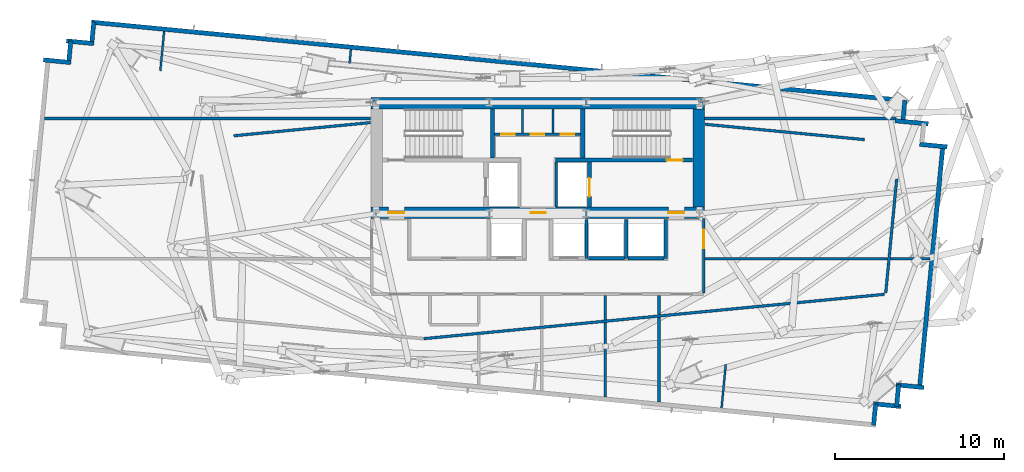
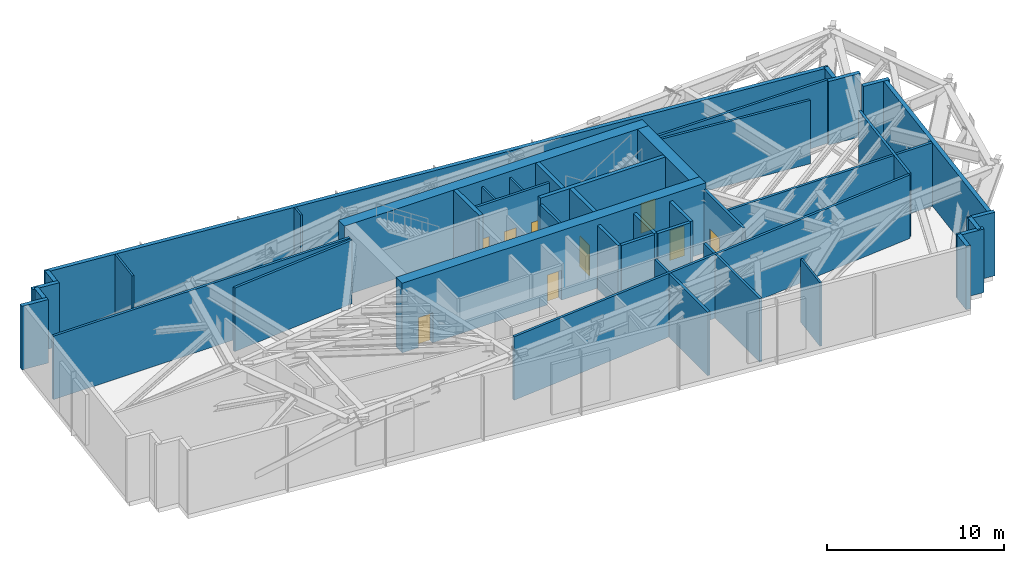
# One storey, part 7 of 10: 45 walls, 9 doors, 9 openings.
"""IFC4 building model written with IfcOpenShell, lengths in metres."""

from ifc_helpers import new_model, si_unit, direction, frame, frame_2d, origin, place, context, subcontext, project, spatial, rectangle, extrude, source, transform, mapped, material, layer, layer_set, type_object, type_shapes, element, fill, save


model = new_model("IFC4")

# Units and contexts
model_context = context("Model", 3, precision=1e-05, world=origin(), true_north=direction((0.0, 1.0)))
body_context = subcontext(model_context, "Body", "Model", "MODEL_VIEW")
ifc_project = project(units=[si_unit("LENGTHUNIT", "METRE"), si_unit("AREAUNIT", "SQUARE_METRE"), si_unit("VOLUMEUNIT", "CUBIC_METRE"), si_unit("PLANEANGLEUNIT", "RADIAN"), si_unit("MASSUNIT", "GRAM", prefix="KILO")], contexts=[model_context])

# Site, building, storey
site_placement = place(None, origin())
site = spatial("IfcSite", under=ifc_project, at=site_placement, CompositionType="ELEMENT")
building_placement = place(site_placement, origin())
building = spatial("IfcBuilding", under=site, at=building_placement, Name="Astriad Promenade Condominiums", CompositionType="ELEMENT")
storey_placement = place(building_placement, frame((0.0, 0.0, 163.0)))
storey = spatial("IfcBuildingStorey", under=building, at=storey_placement, Name="L47", CompositionType="ELEMENT", Elevation=163.0)

# Wall, openings, doors
ifc_material_1 = material(Name="Concrete C60/75", Category="concrete")
ifc_layer_1 = layer(ifc_material_1, 0.699951171875)
ifc_layer_set_1 = layer_set([ifc_layer_1], Name="Concrete C60/75")
wall_type_1 = type_object("IfcWallType", Name="CW-SHEAR-700", PredefinedType="SHEAR", material=ifc_layer_set_1)
wall_1_placement = place(storey_placement, frame((26.10009765625, 17.449951171875, 0.0), z_axis=(0.0, 0.0, 1.0), x_axis=(1.0, 0.0, 0.0)))
wall_1 = element("IfcWall", 1, at=wall_1_placement, inside=storey, type_object=wall_type_1, Name="CW-CORE-S-L47", PredefinedType="SHEAR", context=body_context, shape_type="SweptSolid", body=[
    extrude(rectangle(XDim=19.7998046875, YDim=0.699951171875, at=frame_2d((9.89990234375, 0.0))), origin(), (0.0, 0.0, 1.0), 4.800048828125),
])
opening_1_placement = place(wall_1_placement, frame((1.050048828125, 0.0, 0.0)))
opening_1 = element("IfcOpeningElement", 2, at=opening_1_placement, cuts=wall_1, Name="Opening FD90-ST-095", PredefinedType="OPENING", context=body_context, shape_type="SweptSolid", body=[
    extrude(rectangle(XDim=0.949951171875, YDim=2.06005859375, at=frame_2d((0.47509765625, 1.030029296875))), frame((0.0, 0.35986328125, 0.0), z_axis=(0.0, -1.0, 0.0), x_axis=(1.0, 0.0, 0.0)), (0.0, 0.0, 1.0), 0.719970703125),
])
opening_2_placement = place(wall_1_placement, frame((9.47998046875, 0.0, 0.0)))
opening_2 = element("IfcOpeningElement", 3, at=opening_2_placement, cuts=wall_1, Name="Opening FD60-CSL-090", PredefinedType="OPENING", context=body_context, shape_type="SweptSolid", body=[
    extrude(rectangle(XDim=0.89990234375, YDim=2.06005859375, at=frame_2d((0.449951171875, 1.030029296875))), frame((0.0, 0.35986328125, 0.0), z_axis=(0.0, -1.0, 0.0), x_axis=(1.0, 0.0, 0.0)), (0.0, 0.0, 1.0), 0.719970703125),
])
opening_3_placement = place(wall_1_placement, frame((17.64990234375, 0.0, 0.0)))
opening_3 = element("IfcOpeningElement", 4, at=opening_3_placement, cuts=wall_1, Name="Opening FD90-ST-095", PredefinedType="OPENING", context=body_context, shape_type="SweptSolid", body=[
    extrude(rectangle(XDim=0.949951171875, YDim=2.06005859375, at=frame_2d((0.47509765625, 1.030029296875))), frame((0.0, 0.35986328125, 0.0), z_axis=(0.0, -1.0, 0.0), x_axis=(1.0, 0.0, 0.0)), (0.0, 0.0, 1.0), 0.719970703125),
])
ifc_material_2 = material(Name="Fire-Rated Hollow Metal Stair Door")
door_type_1 = type_object("IfcDoorType", Name="FD90-ST-095", OperationType="NOTDEFINED", PredefinedType="DOOR", material=ifc_material_2)
shared_shape_1 = source(origin(), body_context, "Body", "SweptSolid", [
    extrude(rectangle(XDim=0.949951171875, YDim=2.06005859375, at=frame_2d((0.47509765625, 1.030029296875))), frame((0.0, 0.02490234375, 0.0), z_axis=(0.0, -1.0, 0.0), x_axis=(1.0, 0.0, 0.0)), (0.0, 0.0, 1.0), 0.050048828125),
])
type_shapes(door_type_1, [shared_shape_1])
door_1_placement = place(opening_1_placement, origin())
door_1 = element("IfcDoor", 5, at=door_1_placement, inside=storey, type_object=door_type_1, Name="D-FFW-L47", OperationType="SINGLE_SWING_LEFT", OverallHeight=2.06005859375, OverallWidth=0.949951171875, PredefinedType="DOOR", context=body_context, shape_type="MappedRepresentation", body=[
    mapped(shared_shape_1, transform((0.0, 0.0, 0.0), scale=1.0)),
])
fill(opening_1, door_1)
door_2_placement = place(opening_3_placement, origin())
door_2 = element("IfcDoor", 6, at=door_2_placement, inside=storey, type_object=door_type_1, Name="D-FFE-L47", OperationType="SINGLE_SWING_RIGHT", OverallHeight=2.06005859375, OverallWidth=0.949951171875, PredefinedType="DOOR", context=body_context, shape_type="MappedRepresentation", body=[
    mapped(shared_shape_1, transform((0.0, 0.0, 0.0), scale=1.0)),
])
fill(opening_3, door_2)
ifc_material_3 = material(Name="Fire-Rated Service Lobby Door")
door_type_2 = type_object("IfcDoorType", Name="FD60-CSL-090", OperationType="NOTDEFINED", PredefinedType="DOOR", material=ifc_material_3)
shared_shape_2 = source(origin(), body_context, "Body", "SweptSolid", [
    extrude(rectangle(XDim=0.89990234375, YDim=2.06005859375, at=frame_2d((0.449951171875, 1.030029296875))), frame((0.0, 0.02490234375, 0.0), z_axis=(0.0, -1.0, 0.0), x_axis=(1.0, 0.0, 0.0)), (0.0, 0.0, 1.0), 0.050048828125),
])
type_shapes(door_type_2, [shared_shape_2])
door_3_placement = place(opening_2_placement, origin())
door_3 = element("IfcDoor", 7, at=door_3_placement, inside=storey, type_object=door_type_2, Name="D-CSL-L47", OperationType="SINGLE_SWING_RIGHT", OverallHeight=2.06005859375, OverallWidth=0.89990234375, PredefinedType="DOOR", context=body_context, shape_type="MappedRepresentation", body=[
    mapped(shared_shape_2, transform((0.0, 0.0, 0.0), scale=1.0)),
])
fill(opening_2, door_3)

# Walls
wall_2_placement = place(storey_placement, frame((26.10009765625, 23.949951171875, 0.0), z_axis=(0.0, 0.0, 1.0), x_axis=(1.0, 0.0, 0.0)))
element("IfcWall", 8, at=wall_2_placement, inside=storey, type_object=wall_type_1, Name="CW-CORE-N-L47", PredefinedType="SHEAR", context=body_context, shape_type="SweptSolid", body=[
    extrude(rectangle(XDim=19.7998046875, YDim=0.699951171875, at=frame_2d((9.89990234375, 0.0))), origin(), (0.0, 0.0, 1.0), 4.800048828125),
])
wall_3_placement = place(storey_placement, frame((45.550048828125, 17.802001953125, 0.0), z_axis=(0.0, 0.0, 1.0), x_axis=(0.0, 1.0, 0.0)))
element("IfcWall", 9, at=wall_3_placement, inside=storey, type_object=wall_type_1, Name="CW-CORE-E-L47", PredefinedType="SHEAR", context=body_context, shape_type="SweptSolid", body=[
    extrude(rectangle(XDim=5.7958984375, YDim=0.699951171875, at=frame_2d((2.89794921875, 0.0))), origin(), (0.0, 0.0, 1.0), 4.800048828125),
])

# Wall, opening, door
ifc_material_4 = material(Name="Concrete C50/60", Category="concrete")
ifc_layer_2 = layer(ifc_material_4, 0.25)
ifc_layer_set_2 = layer_set([ifc_layer_2], Name="Concrete C50/60")
wall_type_2 = type_object("IfcWallType", Name="WALL-CORE-INT-250", PredefinedType="SOLIDWALL", material=ifc_layer_set_2)
wall_4_placement = place(storey_placement, frame((37.050048828125, 20.574951171875, 0.0), z_axis=(0.0, 0.0, 1.0), x_axis=(1.0, 0.0, 0.0)))
wall_4 = element("IfcWall", 10, at=wall_4_placement, inside=storey, type_object=wall_type_2, Name="CW-INT-H2-L47", PredefinedType="SOLIDWALL", context=body_context, shape_type="SweptSolid", body=[
    extrude(rectangle(XDim=8.14794921875, YDim=0.25, at=frame_2d((4.073974609375, 0.0))), origin(), (0.0, 0.0, 1.0), 4.800048828125),
])
opening_4_placement = place(wall_4_placement, frame((6.60009765625, 0.0, 0.0)))
opening_4 = element("IfcOpeningElement", 11, at=opening_4_placement, cuts=wall_4, Name="Opening FD90-ST-095", PredefinedType="OPENING", context=body_context, shape_type="SweptSolid", body=[
    extrude(rectangle(XDim=0.949951171875, YDim=2.06005859375, at=frame_2d((0.47509765625, 1.030029296875))), frame((0.0, 0.135009765625, 0.0), z_axis=(0.0, -1.0, 0.0), x_axis=(1.0, 0.0, 0.0)), (0.0, 0.0, 1.0), 0.27001953125),
])
door_4_placement = place(opening_4_placement, origin())
door_4 = element("IfcDoor", 12, at=door_4_placement, inside=storey, type_object=door_type_1, Name="D-ST2-L47", OperationType="SINGLE_SWING_RIGHT", OverallHeight=2.06005859375, OverallWidth=0.949951171875, PredefinedType="DOOR", context=body_context, shape_type="MappedRepresentation", body=[
    mapped(shared_shape_1, transform((0.0, 0.0, 0.0), scale=1.0)),
])
fill(opening_4, door_4)

# Walls
for number, where, z_axis, x_axis, name in (
    (13, (33.324951171875, 20.701904296875, 0.0), (0.0, 0.0, 1.0), (0.0, 1.0, 0.0), "CW-ST1-E-L47"),
    (14, (38.675048828125, 20.701904296875, 0.0), (0.0, 0.0, 1.0), (0.0, 1.0, 0.0), "CW-ST2-W-L47"),
):
    element("IfcWall", number, at=place(storey_placement, frame(where, z_axis=z_axis, x_axis=x_axis)), inside=storey, type_object=wall_type_2, Name=name, PredefinedType="SOLIDWALL", context=body_context, shape_type="SweptSolid", body=[
        extrude(rectangle(XDim=2.89599609375, YDim=0.25, at=frame_2d((1.447998046875, 0.0))), origin(), (0.0, 0.0, 1.0), 4.800048828125),
    ])

# Wall, opening, door
wall_5_placement = place(storey_placement, frame((39.074951171875, 17.802001953125, 0.0), z_axis=(0.0, 0.0, 1.0), x_axis=(0.0, 1.0, 0.0)))
wall_5 = element("IfcWall", 15, at=wall_5_placement, inside=storey, type_object=wall_type_2, Name="CW-FFL2-E-L47", PredefinedType="SOLIDWALL", context=body_context, shape_type="SweptSolid", body=[
    extrude(rectangle(XDim=2.64599609375, YDim=0.25, at=frame_2d((1.322998046875, 0.0))), origin(), (0.0, 0.0, 1.0), 4.800048828125),
])
opening_5_placement = place(wall_5_placement, frame((0.597900390625, 0.0, 0.0)))
opening_5 = element("IfcOpeningElement", 16, at=opening_5_placement, cuts=wall_5, Name="Opening LD-FFL-1122", PredefinedType="OPENING", context=body_context, shape_type="SweptSolid", body=[
    extrude(rectangle(XDim=1.10009765625, YDim=2.080078125, at=frame_2d((0.550048828125, 1.0400390625))), frame((0.0, 0.135009765625, 0.0), z_axis=(0.0, -1.0, 0.0), x_axis=(1.0, 0.0, 0.0)), (0.0, 0.0, 1.0), 0.27001953125),
])
ifc_material_5 = material(Name="Brushed Stainless Steel Fire Elevator Landing Door", Category="steel")
door_type_3 = type_object("IfcDoorType", Name="LD-FFL-1122", OperationType="NOTDEFINED", PredefinedType="DOOR", material=ifc_material_5)
shared_shape_3 = source(origin(), body_context, "Body", "SweptSolid", [
    extrude(rectangle(XDim=1.10009765625, YDim=2.080078125, at=frame_2d((0.550048828125, 1.0400390625))), frame((0.0, 0.02490234375, 0.0), z_axis=(0.0, -1.0, 0.0), x_axis=(1.0, 0.0, 0.0)), (0.0, 0.0, 1.0), 0.050048828125),
])
type_shapes(door_type_3, [shared_shape_3])
door_5_placement = place(opening_5_placement, origin())
door_5 = element("IfcDoor", 17, at=door_5_placement, inside=storey, type_object=door_type_3, Name="Elevator Landing Door FFL-2 (L47)", OperationType="SLIDING_TO_RIGHT", OverallHeight=2.080078125, OverallWidth=1.10009765625, PredefinedType="DOOR", context=body_context, shape_type="MappedRepresentation", body=[
    mapped(shared_shape_3, transform((0.0, 0.0, 0.0), scale=1.0)),
])
fill(opening_5, door_5)

# Wall
ifc_material_6 = material(Name="Fire-Rated Gypsum Partition")
ifc_layer_3 = layer(ifc_material_6, 0.159912109375)
ifc_layer_set_3 = layer_set([ifc_layer_3], Name="Fire-Rated Gypsum Partition")
wall_type_3 = type_object("IfcWallType", Name="WALL-CORR-160", PredefinedType="PARTITIONING", material=ifc_layer_set_3)
wall_6_placement = place(storey_placement, frame((37.10009765625, 17.802001953125, 0.0), z_axis=(0.0, 0.0, 1.0), x_axis=(0.0, 1.0, 0.0)))
element("IfcWall", 18, at=wall_6_placement, inside=storey, type_object=wall_type_3, Name="CW-FFL2-W-L47", PredefinedType="PARTITIONING", context=body_context, shape_type="SweptSolid", body=[
    extrude(rectangle(XDim=2.64599609375, YDim=0.159912109375, at=frame_2d((1.322998046875, 0.0))), origin(), (0.0, 0.0, 1.0), 4.3798828125),
])

# Wall, openings, doors
wall_7_placement = place(storey_placement, frame((33.451904296875, 22.10009765625, 0.0), z_axis=(0.0, 0.0, 1.0), x_axis=(1.0, 0.0, 0.0)))
wall_7 = element("IfcWall", 19, at=wall_7_placement, inside=storey, type_object=wall_type_3, Name="CW-AUX-N-L47", PredefinedType="PARTITIONING", context=body_context, shape_type="SweptSolid", body=[
    extrude(rectangle(XDim=5.09619140625, YDim=0.159912109375, at=frame_2d((2.548095703125, 0.0))), origin(), (0.0, 0.0, 1.0), 4.3798828125),
])
opening_6_placement = place(wall_7_placement, frame((0.387939453125, 0.0, 0.0)))
opening_6 = element("IfcOpeningElement", 20, at=opening_6_placement, cuts=wall_7, Name="Opening FD60-SV-080", PredefinedType="OPENING", context=body_context, shape_type="SweptSolid", body=[
    extrude(rectangle(XDim=0.800048828125, YDim=2.050048828125, at=frame_2d((0.39990234375, 1.02490234375))), frame((0.0, 0.08984375, 0.0), z_axis=(0.0, -1.0, 0.0), x_axis=(1.0, 0.0, 0.0)), (0.0, 0.0, 1.0), 0.179931640625),
])
opening_7_placement = place(wall_7_placement, frame((2.14794921875, 0.0, 0.0)))
opening_7 = element("IfcOpeningElement", 21, at=opening_7_placement, cuts=wall_7, Name="Opening FD60-SV-080", PredefinedType="OPENING", context=body_context, shape_type="SweptSolid", body=[
    extrude(rectangle(XDim=0.800048828125, YDim=2.050048828125, at=frame_2d((0.39990234375, 1.02490234375))), frame((0.0, 0.08984375, 0.0), z_axis=(0.0, -1.0, 0.0), x_axis=(1.0, 0.0, 0.0)), (0.0, 0.0, 1.0), 0.179931640625),
])
opening_8_placement = place(wall_7_placement, frame((3.907958984375, 0.0, 0.0)))
opening_8 = element("IfcOpeningElement", 22, at=opening_8_placement, cuts=wall_7, Name="Opening FD60-SV-080", PredefinedType="OPENING", context=body_context, shape_type="SweptSolid", body=[
    extrude(rectangle(XDim=0.800048828125, YDim=2.050048828125, at=frame_2d((0.39990234375, 1.02490234375))), frame((0.0, 0.08984375, 0.0), z_axis=(0.0, -1.0, 0.0), x_axis=(1.0, 0.0, 0.0)), (0.0, 0.0, 1.0), 0.179931640625),
])
ifc_material_7 = material(Name="Fire-Rated Riser Closet Door")
door_type_4 = type_object("IfcDoorType", Name="FD60-SV-080", OperationType="NOTDEFINED", PredefinedType="DOOR", material=ifc_material_7)
shared_shape_4 = source(origin(), body_context, "Body", "SweptSolid", [
    extrude(rectangle(XDim=0.800048828125, YDim=2.050048828125, at=frame_2d((0.39990234375, 1.02490234375))), frame((0.0, 0.02490234375, 0.0), z_axis=(0.0, -1.0, 0.0), x_axis=(1.0, 0.0, 0.0)), (0.0, 0.0, 1.0), 0.050048828125),
])
type_shapes(door_type_4, [shared_shape_4])
door_6_placement = place(opening_6_placement, origin())
door_6 = element("IfcDoor", 23, at=door_6_placement, inside=storey, type_object=door_type_4, Name="D-AUX1-L47", OperationType="SINGLE_SWING_LEFT", OverallHeight=2.050048828125, OverallWidth=0.800048828125, PredefinedType="DOOR", context=body_context, shape_type="MappedRepresentation", body=[
    mapped(shared_shape_4, transform((0.0, 0.0, 0.0), scale=1.0)),
])
fill(opening_6, door_6)
door_7_placement = place(opening_7_placement, origin())
door_7 = element("IfcDoor", 24, at=door_7_placement, inside=storey, type_object=door_type_4, Name="D-AUX2-L47", OperationType="SINGLE_SWING_RIGHT", OverallHeight=2.050048828125, OverallWidth=0.800048828125, PredefinedType="DOOR", context=body_context, shape_type="MappedRepresentation", body=[
    mapped(shared_shape_4, transform((0.0, 0.0, 0.0), scale=1.0)),
])
fill(opening_7, door_7)
door_8_placement = place(opening_8_placement, origin())
door_8 = element("IfcDoor", 25, at=door_8_placement, inside=storey, type_object=door_type_4, Name="D-AUX3-L47", OperationType="SINGLE_SWING_LEFT", OverallHeight=2.050048828125, OverallWidth=0.800048828125, PredefinedType="DOOR", context=body_context, shape_type="MappedRepresentation", body=[
    mapped(shared_shape_4, transform((0.0, 0.0, 0.0), scale=1.0)),
])
fill(opening_8, door_8)

# Walls
wall_8_placement = place(storey_placement, frame((57.298095703125, 19.4609375, 0.0), z_axis=(0.0, 0.0, 1.0), x_axis=(-0.095937921698, -0.995387319178, 0.0)))
element("IfcWall", 26, at=wall_8_placement, inside=storey, type_object=wall_type_3, Name="PT-L47-BTR-01", PredefinedType="PARTITIONING", context=body_context, shape_type="SweptSolid", body=[
    extrude(rectangle(XDim=6.807373046875, YDim=0.159912109375, at=frame_2d((3.40380859375, 0.0))), origin(), (0.0, 0.0, 1.0), 4.3798828125),
])
wall_9_placement = place(storey_placement, frame((56.572998046875, 12.613037109375, 0.0), z_axis=(0.0, 0.0, 1.0), x_axis=(-0.995394485616, -0.09586353846, 0.0)))
element("IfcWall", 27, at=wall_9_placement, inside=storey, type_object=wall_type_3, Name="PT-L47-BTR-02", PredefinedType="PARTITIONING", context=body_context, shape_type="SweptSolid", body=[
    extrude(rectangle(XDim=27.45654296875, YDim=0.159912109375, at=frame_2d((13.728271484375, 0.0))), origin(), (0.0, 0.0, 1.0), 4.3798828125),
])
wall_10_placement = place(storey_placement, frame((17.972900390625, 22.01611328125, 0.0), z_axis=(0.0, 0.0, 1.0), x_axis=(0.995391823072, 0.095891180836, 0.0)))
element("IfcWall", 28, at=wall_10_placement, inside=storey, type_object=wall_type_3, Name="PT-L47-BTR-05", PredefinedType="PARTITIONING", context=body_context, shape_type="SweptSolid", body=[
    extrude(rectangle(XDim=8.144775390625, YDim=0.159912109375, at=frame_2d((4.072265625, 0.0))), origin(), (0.0, 0.0, 1.0), 4.3798828125),
])
wall_11_placement = place(storey_placement, frame((45.919921875, 22.699951171875, 0.0), z_axis=(0.0, 0.0, 1.0), x_axis=(0.995395273973, -0.09585535224, 0.0)))
element("IfcWall", 29, at=wall_11_placement, inside=storey, type_object=wall_type_3, Name="PT-L47-BTR-06", PredefinedType="PARTITIONING", context=body_context, shape_type="SweptSolid", body=[
    extrude(rectangle(XDim=9.502685546875, YDim=0.159912109375, at=frame_2d((4.75146484375, 0.0))), origin(), (0.0, 0.0, 1.0), 4.3798828125),
])
wall_12_placement = place(storey_placement, frame((6.739990234375, 23.0400390625, 0.0), z_axis=(0.0, 0.0, 1.0), x_axis=(1.0, 0.0, 0.0)))
element("IfcWall", 30, at=wall_12_placement, inside=storey, type_object=wall_type_3, Name="PT-L47-OUTW", PredefinedType="PARTITIONING", context=body_context, shape_type="SweptSolid", body=[
    extrude(rectangle(XDim=19.35791015625, YDim=0.159912109375, at=frame_2d((9.678955078125, 0.0))), origin(), (0.0, 0.0, 1.0), 4.3798828125),
])
wall_13_placement = place(storey_placement, frame((45.902099609375, 23.0400390625, 0.0), z_axis=(0.0, 0.0, 1.0), x_axis=(1.0, 0.0, 0.0)))
element("IfcWall", 31, at=wall_13_placement, inside=storey, type_object=wall_type_3, Name="PT-L47-OUTE", PredefinedType="PARTITIONING", context=body_context, shape_type="SweptSolid", body=[
    extrude(rectangle(XDim=11.31591796875, YDim=0.159912109375, at=frame_2d((5.657958984375, 0.0))), origin(), (0.0, 0.0, 1.0), 4.3798828125),
])

# Wall, opening, door
wall_14_placement = place(storey_placement, frame((45.85009765625, 12.701904296875, 0.0), z_axis=(0.0, 0.0, 1.0), x_axis=(0.0, 1.0, 0.0)))
wall_14 = element("IfcWall", 32, at=wall_14_placement, inside=storey, type_object=wall_type_3, Name="PT-L47-PCE", PredefinedType="PARTITIONING", context=body_context, shape_type="SweptSolid", body=[
    extrude(rectangle(XDim=4.39599609375, YDim=0.159912109375, at=frame_2d((2.197998046875, 0.0))), origin(), (0.0, 0.0, 1.0), 4.3798828125),
])
opening_9_placement = place(wall_14_placement, frame((2.64794921875, 0.0, 0.0)))
opening_9 = element("IfcOpeningElement", 33, at=opening_9_placement, cuts=wall_14, Name="Opening FD90-REF-1121", PredefinedType="OPENING", context=body_context, shape_type="SweptSolid", body=[
    extrude(rectangle(XDim=1.10009765625, YDim=2.06005859375, at=frame_2d((0.550048828125, 1.030029296875))), frame((0.0, 0.08984375, 0.0), z_axis=(0.0, -1.0, 0.0), x_axis=(1.0, 0.0, 0.0)), (0.0, 0.0, 1.0), 0.179931640625),
])
ifc_material_8 = material(Name="Fire-Rated Refuge Door")
door_type_5 = type_object("IfcDoorType", Name="FD90-REF-1121", OperationType="NOTDEFINED", PredefinedType="DOOR", material=ifc_material_8)
shared_shape_5 = source(origin(), body_context, "Body", "SweptSolid", [
    extrude(rectangle(XDim=1.10009765625, YDim=2.06005859375, at=frame_2d((0.550048828125, 1.030029296875))), frame((0.0, 0.02490234375, 0.0), z_axis=(0.0, -1.0, 0.0), x_axis=(1.0, 0.0, 0.0)), (0.0, 0.0, 1.0), 0.050048828125),
])
type_shapes(door_type_5, [shared_shape_5])
door_9_placement = place(opening_9_placement, origin())
door_9 = element("IfcDoor", 34, at=door_9_placement, inside=storey, type_object=door_type_5, Name="D-L47-REFE", OperationType="SINGLE_SWING_RIGHT", OverallHeight=2.06005859375, OverallWidth=1.10009765625, PredefinedType="DOOR", context=body_context, shape_type="MappedRepresentation", body=[
    mapped(shared_shape_5, transform((0.0, 0.0, 0.0), scale=1.0)),
])
fill(opening_9, door_9)

# Walls
wall_15_placement = place(storey_placement, frame((45.931884765625, 14.719970703125, 0.0), z_axis=(0.0, 0.0, 1.0), x_axis=(1.0, 0.0, 0.0)))
element("IfcWall", 35, at=wall_15_placement, inside=storey, type_object=wall_type_3, Name="PT-L47-PCNE", PredefinedType="PARTITIONING", context=body_context, shape_type="SweptSolid", body=[
    extrude(rectangle(XDim=10.826904296875, YDim=0.159912109375, at=frame_2d((5.41357421875, 0.0))), origin(), (0.0, 0.0, 1.0), 4.3798828125),
])
wall_16_placement = place(storey_placement, frame((56.923583984375, 14.719970703125, 0.0), z_axis=(0.0, 0.0, 1.0), x_axis=(1.0, 0.0, 0.0)))
element("IfcWall", 36, at=wall_16_placement, inside=storey, type_object=wall_type_3, Name="PT-L47-PCNE-S2", PredefinedType="PARTITIONING", context=body_context, shape_type="SweptSolid", body=[
    extrude(rectangle(XDim=2.3369140625, YDim=0.159912109375, at=frame_2d((1.16845703125, 0.0))), origin(), (0.0, 0.0, 1.0), 4.3798828125),
])
wall_17_placement = place(storey_placement, frame((40.0, 6.524658203125, 0.0), z_axis=(0.0, 0.0, 1.0), x_axis=(0.0, 1.0, 0.0)))
element("IfcWall", 37, at=wall_17_placement, inside=storey, type_object=wall_type_3, Name="PT-L47-PV3", PredefinedType="PARTITIONING", context=body_context, shape_type="SweptSolid", body=[
    extrude(rectangle(XDim=4.409912109375, YDim=0.159912109375, at=frame_2d((2.205078125, 0.0))), origin(), (0.0, 0.0, 1.0), 4.3798828125),
])
wall_18_placement = place(storey_placement, frame((40.0, 11.099365234375, 0.0), z_axis=(0.0, 0.0, 1.0), x_axis=(0.0, 1.0, 0.0)))
element("IfcWall", 38, at=wall_18_placement, inside=storey, type_object=wall_type_3, Name="PT-L47-PV3-S2", PredefinedType="PARTITIONING", context=body_context, shape_type="SweptSolid", body=[
    extrude(rectangle(XDim=1.438720703125, YDim=0.159912109375, at=frame_2d((0.71923828125, 0.0))), origin(), (0.0, 0.0, 1.0), 4.3798828125),
])
wall_19_placement = place(storey_placement, frame((43.199951171875, 6.216552734375, 0.0), z_axis=(0.0, 0.0, 1.0), x_axis=(0.0, 1.0, 0.0)))
element("IfcWall", 39, at=wall_19_placement, inside=storey, type_object=wall_type_3, Name="PT-L47-PV4", PredefinedType="PARTITIONING", context=body_context, shape_type="SweptSolid", body=[
    extrude(rectangle(XDim=5.026123046875, YDim=0.159912109375, at=frame_2d((2.51318359375, 0.0))), origin(), (0.0, 0.0, 1.0), 4.3798828125),
])
wall_20_placement = place(storey_placement, frame((43.199951171875, 11.407470703125, 0.0), z_axis=(0.0, 0.0, 1.0), x_axis=(0.0, 1.0, 0.0)))
element("IfcWall", 40, at=wall_20_placement, inside=storey, type_object=wall_type_3, Name="PT-L47-PV4-S2", PredefinedType="PARTITIONING", context=body_context, shape_type="SweptSolid", body=[
    extrude(rectangle(XDim=1.130615234375, YDim=0.159912109375, at=frame_2d((0.5654296875, 0.0))), origin(), (0.0, 0.0, 1.0), 4.3798828125),
])
ifc_material_9 = material(Name="Precast concrete C50/60", Category="concrete")
ifc_layer_4 = layer(ifc_material_9, 0.260009765625)
ifc_layer_set_4 = layer_set([ifc_layer_4], Name="Precast concrete C50/60")
wall_type_4 = type_object("IfcWallType", Name="WALL-EXT-TWR-260", PredefinedType="STANDARD", material=ifc_layer_set_4)
wall_21_placement = place(storey_placement, frame((6.68115234375, 26.518310546875, 0.0), z_axis=(0.0, 0.0, 1.0), x_axis=(0.995394563142, -0.095862733462, 0.0)))
element("IfcWall", 41, at=wall_21_placement, inside=storey, type_object=wall_type_4, Name="W-SER-L47-04", PredefinedType="STANDARD", context=body_context, shape_type="SweptSolid", body=[
    extrude(rectangle(XDim=1.64013671875, YDim=0.260009765625, at=frame_2d((0.820068359375, 0.0))), origin(), (0.0, 0.0, 1.0), 4.3798828125),
])
wall_22_placement = place(storey_placement, frame((8.1953125, 26.48779296875, 0.0), z_axis=(0.0, 0.0, 1.0), x_axis=(0.095740721699, 0.995406306092, 0.0)))
element("IfcWall", 42, at=wall_22_placement, inside=storey, type_object=wall_type_4, Name="W-SER-L47-05", PredefinedType="STANDARD", context=body_context, shape_type="SweptSolid", body=[
    extrude(rectangle(XDim=1.150146484375, YDim=0.260009765625, at=frame_2d((0.5751953125, 0.0))), origin(), (0.0, 0.0, 1.0), 4.3798828125),
])
wall_23_placement = place(storey_placement, frame((8.045166015625, 27.642578125, 0.0), z_axis=(0.0, 0.0, 1.0), x_axis=(0.995394563142, -0.095862733462, 0.0)))
element("IfcWall", 43, at=wall_23_placement, inside=storey, type_object=wall_type_4, Name="W-SER-L47-06", PredefinedType="STANDARD", context=body_context, shape_type="SweptSolid", body=[
    extrude(rectangle(XDim=1.64013671875, YDim=0.260009765625, at=frame_2d((0.820068359375, 0.0))), origin(), (0.0, 0.0, 1.0), 4.3798828125),
])
wall_24_placement = place(storey_placement, frame((9.559326171875, 27.6123046875, 0.0), z_axis=(0.0, 0.0, 1.0), x_axis=(0.095971333708, 0.995384098279, 0.0)))
element("IfcWall", 44, at=wall_24_placement, inside=storey, type_object=wall_type_4, Name="W-SER-L47-07", PredefinedType="STANDARD", context=body_context, shape_type="SweptSolid", body=[
    extrude(rectangle(XDim=1.14990234375, YDim=0.260009765625, at=frame_2d((0.574951171875, 0.0))), origin(), (0.0, 0.0, 1.0), 4.3798828125),
])
wall_25_placement = place(storey_placement, frame((9.538818359375, 28.75439453125, 0.0), z_axis=(0.0, 0.0, 1.0), x_axis=(0.995396429524, -0.095843351832, 0.0)))
element("IfcWall", 45, at=wall_25_placement, inside=storey, type_object=wall_type_4, Name="W-PLT-L47-N", PredefinedType="STANDARD", context=body_context, shape_type="SweptSolid", body=[
    extrude(rectangle(XDim=48.599609375, YDim=0.260009765625, at=frame_2d((24.2998046875, 0.0))), origin(), (0.0, 0.0, 1.0), 4.3798828125),
])
wall_26_placement = place(storey_placement, frame((57.787109375, 24.123779296875, 0.0), z_axis=(0.0, 0.0, 1.0), x_axis=(-0.095971333708, -0.995384098279, 0.0)))
element("IfcWall", 46, at=wall_26_placement, inside=storey, type_object=wall_type_4, Name="W-SER-L47-09", PredefinedType="STANDARD", context=body_context, shape_type="SweptSolid", body=[
    extrude(rectangle(XDim=1.14990234375, YDim=0.260009765625, at=frame_2d((0.574951171875, 0.0))), origin(), (0.0, 0.0, 1.0), 4.3798828125),
])
wall_27_placement = place(storey_placement, frame((57.205322265625, 22.908935546875, 0.0), z_axis=(0.0, 0.0, 1.0), x_axis=(0.995400407516, -0.095802028776, 0.0)))
element("IfcWall", 47, at=wall_27_placement, inside=storey, type_object=wall_type_4, Name="W-SER-L47-10", PredefinedType="STANDARD", context=body_context, shape_type="SweptSolid", body=[
    extrude(rectangle(XDim=1.972412109375, YDim=0.260009765625, at=frame_2d((0.986328125, 0.0))), origin(), (0.0, 0.0, 1.0), 4.3798828125),
])
wall_28_placement = place(storey_placement, frame((58.66064453125, 21.512939453125, 0.0), z_axis=(0.0, 0.0, 1.0), x_axis=(0.995394563142, -0.095862733462, 0.0)))
element("IfcWall", 48, at=wall_28_placement, inside=storey, type_object=wall_type_4, Name="W-SER-L47-12", PredefinedType="STANDARD", context=body_context, shape_type="SweptSolid", body=[
    extrude(rectangle(XDim=1.64013671875, YDim=0.260009765625, at=frame_2d((0.820068359375, 0.0))), origin(), (0.0, 0.0, 1.0), 4.3798828125),
])
wall_29_placement = place(storey_placement, frame((60.046875, 21.51025390625, 0.0), z_axis=(0.0, 0.0, 1.0), x_axis=(-0.095849096434, -0.995395876379, 0.0)))
element("IfcWall", 49, at=wall_29_placement, inside=storey, type_object=wall_type_4, Name="W-PLT-L47-E", PredefinedType="STANDARD", context=body_context, shape_type="SweptSolid", body=[
    extrude(rectangle(XDim=14.60009765625, YDim=0.260009765625, at=frame_2d((7.300048828125, 0.0))), origin(), (0.0, 0.0, 1.0), 4.3798828125),
])
wall_30_placement = place(storey_placement, frame((58.918701171875, 7.081787109375, 0.0), z_axis=(0.0, 0.0, 1.0), x_axis=(-0.995387707478, 0.095933892872, 0.0)))
element("IfcWall", 50, at=wall_30_placement, inside=storey, type_object=wall_type_4, Name="W-SER-L47-14", PredefinedType="STANDARD", context=body_context, shape_type="SweptSolid", body=[
    extrude(rectangle(XDim=1.6591796875, YDim=0.260009765625, at=frame_2d((0.82958984375, 0.0))), origin(), (0.0, 0.0, 1.0), 4.3798828125),
])
wall_31_placement = place(storey_placement, frame((57.418212890625, 7.251953125, 0.0), z_axis=(0.0, 0.0, 1.0), x_axis=(-0.095925108706, -0.995388554043, 0.0)))
element("IfcWall", 51, at=wall_31_placement, inside=storey, type_object=wall_type_4, Name="W-SER-L47-15", PredefinedType="STANDARD", context=body_context, shape_type="SweptSolid", body=[
    extrude(rectangle(XDim=1.290283203125, YDim=0.260009765625, at=frame_2d((0.64501953125, 0.0))), origin(), (0.0, 0.0, 1.0), 4.3798828125),
])
wall_32_placement = place(storey_placement, frame((57.5546875, 5.95751953125, 0.0), z_axis=(0.0, 0.0, 1.0), x_axis=(-0.995407392318, 0.095729427649, 0.0)))
element("IfcWall", 52, at=wall_32_placement, inside=storey, type_object=wall_type_4, Name="W-SER-L47-16", PredefinedType="STANDARD", context=body_context, shape_type="SweptSolid", body=[
    extrude(rectangle(XDim=1.639892578125, YDim=0.260009765625, at=frame_2d((0.81982421875, 0.0))), origin(), (0.0, 0.0, 1.0), 4.3798828125),
])
wall_33_placement = place(storey_placement, frame((56.052001953125, 6.106201171875, 0.0), z_axis=(0.0, 0.0, 1.0), x_axis=(-0.095807717487, -0.995399859991, 0.0)))
element("IfcWall", 53, at=wall_33_placement, inside=storey, type_object=wall_type_4, Name="W-SER-L47-17", PredefinedType="STANDARD", context=body_context, shape_type="SweptSolid", body=[
    extrude(rectangle(XDim=1.26904296875, YDim=0.260009765625, at=frame_2d((0.634521484375, 0.0))), origin(), (0.0, 0.0, 1.0), 4.3798828125),
])
ifc_material_10 = material(Name="Acoustic Metal-Stud Gypsum Partition")
ifc_layer_5 = layer(ifc_material_10, 0.1201171875)
ifc_layer_set_5 = layer_set([ifc_layer_5], Name="Acoustic Metal-Stud Gypsum Partition")
wall_type_5 = type_object("IfcWallType", Name="WALL-PART-120", PredefinedType="PARTITIONING", material=ifc_layer_set_5)
for number, where, z_axis, x_axis, name in (
    (54, (35.10009765625, 22.181884765625, 0.0), (0.0, 0.0, 1.0), (0.0, 1.0, 0.0), "CW-AUX-V1-L47"),
    (55, (36.89990234375, 22.181884765625, 0.0), (0.0, 0.0, 1.0), (0.0, 1.0, 0.0), "CW-AUX-V2-L47"),
):
    element("IfcWall", number, at=place(storey_placement, frame(where, z_axis=z_axis, x_axis=x_axis)), inside=storey, type_object=wall_type_5, Name=name, PredefinedType="PARTITIONING", context=body_context, shape_type="SweptSolid", body=[
        extrude(rectangle(XDim=1.416015625, YDim=0.1201171875, at=frame_2d((0.7080078125, 0.0))), origin(), (0.0, 0.0, 1.0), 4.3798828125),
    ])
wall_34_placement = place(storey_placement, frame((47.157958984375, 8.458984375, 0.0), z_axis=(0.0, 0.0, 1.0), x_axis=(-0.095828199082, -0.995397888415, 0.0)))
element("IfcWall", 56, at=wall_34_placement, inside=storey, type_object=wall_type_5, Name="PT-PIL-L47-PC04-11", PredefinedType="PARTITIONING", context=body_context, shape_type="SweptSolid", body=[
    extrude(rectangle(XDim=2.611328125, YDim=0.1201171875, at=frame_2d((1.3056640625, 0.0))), origin(), (0.0, 0.0, 1.0), 4.3798828125),
])
wall_35_placement = place(storey_placement, frame((13.618896484375, 25.872314453125, 0.0), z_axis=(0.0, 0.0, 1.0), x_axis=(0.095958312015, 0.995385353697, 0.0)))
element("IfcWall", 57, at=wall_35_placement, inside=storey, type_object=wall_type_5, Name="PT-PIL-L47-PC06-13", PredefinedType="PARTITIONING", context=body_context, shape_type="SweptSolid", body=[
    extrude(rectangle(XDim=2.345703125, YDim=0.1201171875, at=frame_2d((1.1728515625, 0.0))), origin(), (0.0, 0.0, 1.0), 4.3798828125),
])
wall_36_placement = place(storey_placement, frame((24.842041015625, 26.314208984375, 0.0), z_axis=(0.0, 0.0, 1.0), x_axis=(0.095863692021, 0.995394470827, 0.0)))
element("IfcWall", 58, at=wall_36_placement, inside=storey, type_object=wall_type_5, Name="PT-PIL-L47-PC07-14", PredefinedType="PARTITIONING", context=body_context, shape_type="SweptSolid", body=[
    extrude(rectangle(XDim=0.830322265625, YDim=0.1201171875, at=frame_2d((0.4150390625, 0.0))), origin(), (0.0, 0.0, 1.0), 4.3798828125),
])
ifc_material_11 = material(Name="Gypsum Shaftliner Assembly")
ifc_layer_6 = layer(ifc_material_11, 0.199951171875)
ifc_layer_set_6 = layer_set([ifc_layer_6], Name="Gypsum Shaftliner Assembly")
wall_type_6 = type_object("IfcWallType", Name="WALL-SHAFT-200", PredefinedType="PARTITIONING", material=ifc_layer_set_6)
for number, where, z_axis, x_axis, name in (
    (59, (38.89990234375, 14.75, 0.0), (0.0, 0.0, 1.0), (0.0, 1.0, 0.0), "PL-MH-DIV-L47"),
    (60, (41.25, 14.75, 0.0), (0.0, 0.0, 1.0), (0.0, 1.0, 0.0), "PL-H-DIV-L47"),
    (61, (43.60009765625, 14.75, 0.0), (0.0, 0.0, 1.0), (0.0, 1.0, 0.0), "PL-E-OUT-L47"),
):
    element("IfcWall", number, at=place(storey_placement, frame(where, z_axis=z_axis, x_axis=x_axis)), inside=storey, type_object=wall_type_6, Name=name, PredefinedType="PARTITIONING", context=body_context, shape_type="SweptSolid", body=[
        extrude(rectangle(XDim=2.300048828125, YDim=0.199951171875, at=frame_2d((1.14990234375, 0.0))), origin(), (0.0, 0.0, 1.0), 4.3798828125),
    ])
for number, where, z_axis, x_axis, name in (
    (62, (39.001953125, 14.75, 0.0), (0.0, 0.0, 1.0), (1.0, 0.0, 0.0), "PL-H-FRT-L47"),
    (63, (41.35205078125, 14.75, 0.0), (0.0, 0.0, 1.0), (1.0, 0.0, 0.0), "PL-H-FRT-L47-S2"),
):
    element("IfcWall", number, at=place(storey_placement, frame(where, z_axis=z_axis, x_axis=x_axis)), inside=storey, type_object=wall_type_6, Name=name, PredefinedType="PARTITIONING", context=body_context, shape_type="SweptSolid", body=[
        extrude(rectangle(XDim=2.14599609375, YDim=0.199951171875, at=frame_2d((1.072998046875, 0.0))), origin(), (0.0, 0.0, 1.0), 4.3798828125),
    ])

save(model, "model.ifc")
